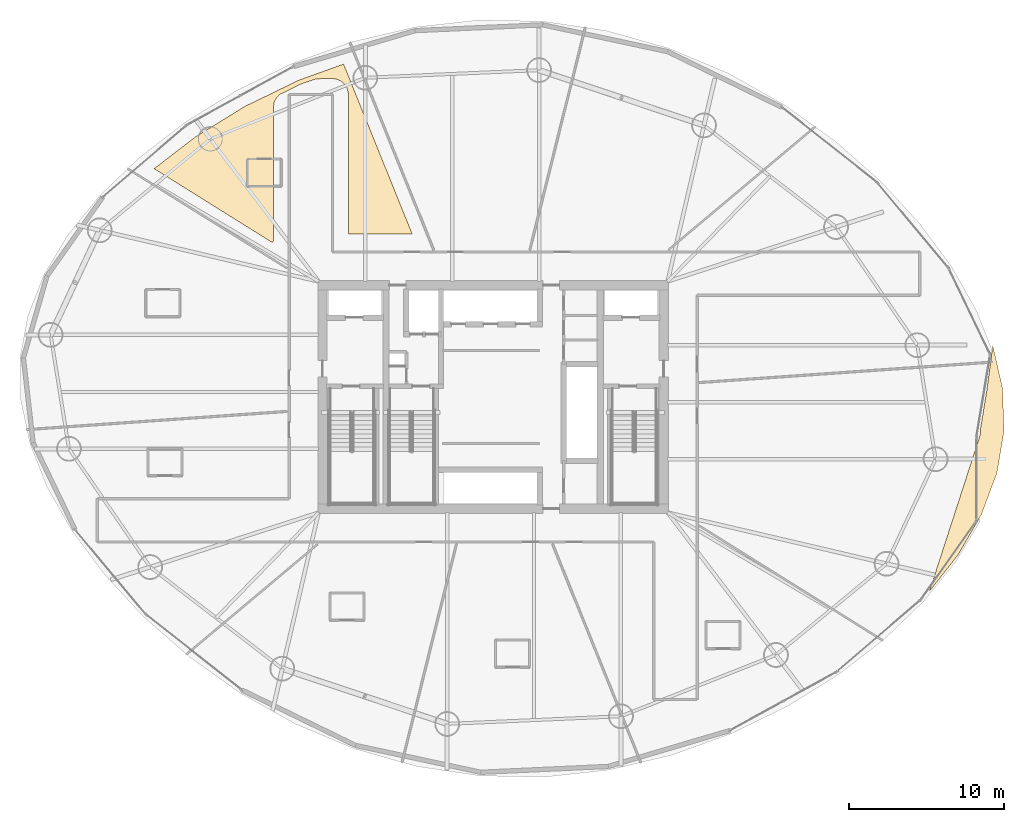
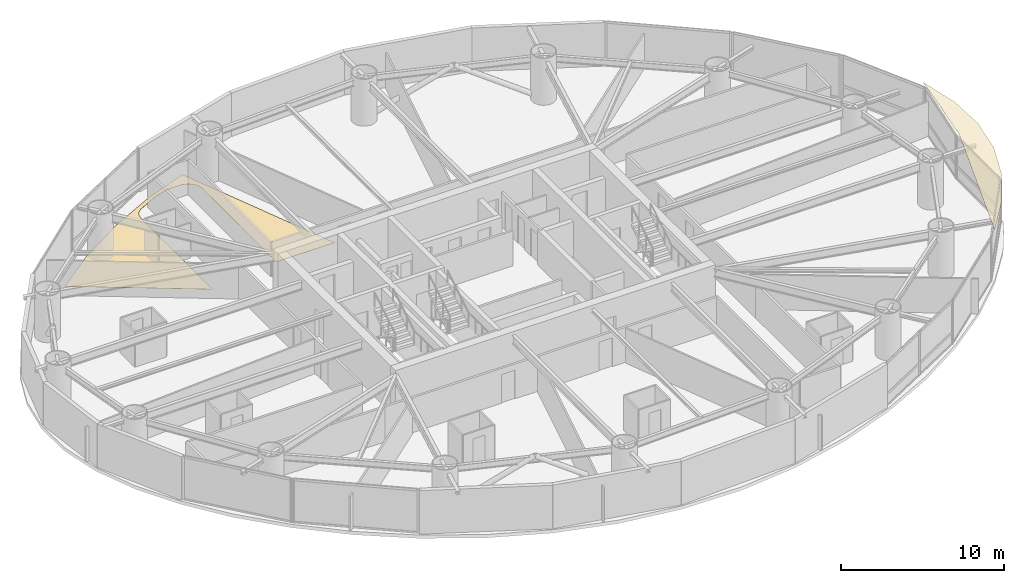
# One storey, part 25 of 25: 2 coverings.
"""IFC4 building model written with IfcOpenShell, lengths in metres."""

from ifc_helpers import new_model, si_unit, direction, frame, origin, place, context, subcontext, project, spatial, polyline, outline, extrude, material, layer, layer_set, type_object, element, save


model = new_model("IFC4")

# Units and contexts
model_context = context("Model", 3, precision=1e-05, world=origin(), true_north=direction((0.0, 1.0)))
body_context = subcontext(model_context, "Body", "Model", "MODEL_VIEW")
ifc_project = project(units=[si_unit("LENGTHUNIT", "METRE"), si_unit("AREAUNIT", "SQUARE_METRE"), si_unit("VOLUMEUNIT", "CUBIC_METRE"), si_unit("PLANEANGLEUNIT", "RADIAN"), si_unit("MASSUNIT", "GRAM", prefix="KILO")], contexts=[model_context])

# Site, building, storey
site_placement = place(None, origin())
site = spatial("IfcSite", under=ifc_project, at=site_placement, CompositionType="ELEMENT")
building_placement = place(site_placement, origin())
building = spatial("IfcBuilding", under=site, at=building_placement, Name="Bramvorn Convention Spire", CompositionType="ELEMENT")
storey_placement = place(building_placement, frame((0.0, 0.0, 55.39990234375)))
storey = spatial("IfcBuildingStorey", under=building, at=storey_placement, Name="L11", CompositionType="ELEMENT", Elevation=55.39990234375)

# Coverings
ifc_material_1 = material(Name="Champagne Bronze Aluminium Composite Soffit", Category="aluminium")
ifc_layer_1 = layer(ifc_material_1, 0.02490234375)
ifc_layer_set_1 = layer_set([ifc_layer_1], Name="Champagne Bronze Aluminium Composite Soffit - COV-CLAD-SOFFIT-25")
covering_type_1 = type_object("IfcCoveringType", Name="COV-CLAD-SOFFIT-25", PredefinedType="CLADDING", material=ifc_layer_set_1)
covering_1_placement = place(storey_placement, frame((0.0, 0.0, 3.22509765625)))
element("IfcCovering", 1, at=covering_1_placement, inside=storey, type_object=covering_type_1, Name="L10 double-height Sky Garden bronze soffit", PredefinedType="CLADDING", context=body_context, shape_type="SweptSolid", body=[
    extrude(outline(polyline([(70.20703125, 29.31689453125), (69.836181640625, 26.52880859375), (69.410888671875, 23.913818359375), (69.41015625, 23.61669921875), (66.12158203125, 13.479736328125), (67.971435546875, 15.831787109375), (69.485595703125, 18.45263671875), (70.4755859375, 21.114990234375), (70.927490234375, 23.81298828125), (70.83642578125, 26.546875), (70.20703125, 29.31689453125)])), origin(), (0.0, 0.0, 1.0), 0.02490234375),
])
ifc_material_2 = material(Name="Solution-Dyed Wool Broadloom Hospitality Carpet", Category="textile")
ifc_layer_2 = layer(ifc_material_2, 0.014892578125)
ifc_layer_set_2 = layer_set([ifc_layer_2], Name="Solution-Dyed Wool Broadloom Hospitality Carpet - FLR-CARPET-15")
covering_type_2 = type_object("IfcCoveringType", Name="FLR-CARPET-15", PredefinedType="FLOORING", material=ifc_layer_set_2)
covering_2_placement = place(storey_placement, origin())
element("IfcCovering", 2, at=covering_2_placement, inside=storey, type_object=covering_type_2, Name="Hotel Suite 1104 wool broadloom carpet", PredefinedType="FLOORING", context=body_context, shape_type="SweptSolid", body=[
    extrude(outline(polyline([(23.77197265625, 35.951904296875), (23.830078125, 36.063720703125), (23.830078125, 44.669677734375), (23.896240234375, 45.031005859375), (24.048828125, 45.30078125), (24.275634765625, 45.512451171875), (25.65576171875, 46.1875), (26.622802734375, 46.5107421875), (27.64990234375, 46.52001953125), (27.903564453125, 46.48779296875), (28.179443359375, 46.37158203125), (28.40966796875, 46.180419921875), (28.574462890625, 45.9306640625), (28.668212890625, 45.555908203125), (28.669921875, 36.5), (32.787109375, 36.5), (28.360595703125, 47.4560546875), (25.49560546875, 46.427490234375), (21.99365234375, 44.729248046875), (18.791015625, 42.748779296875), (16.1494140625, 40.715087890625), (23.77197265625, 35.951904296875)])), origin(), (0.0, 0.0, 1.0), 0.01513671875),
])

save(model, "model.ifc")
